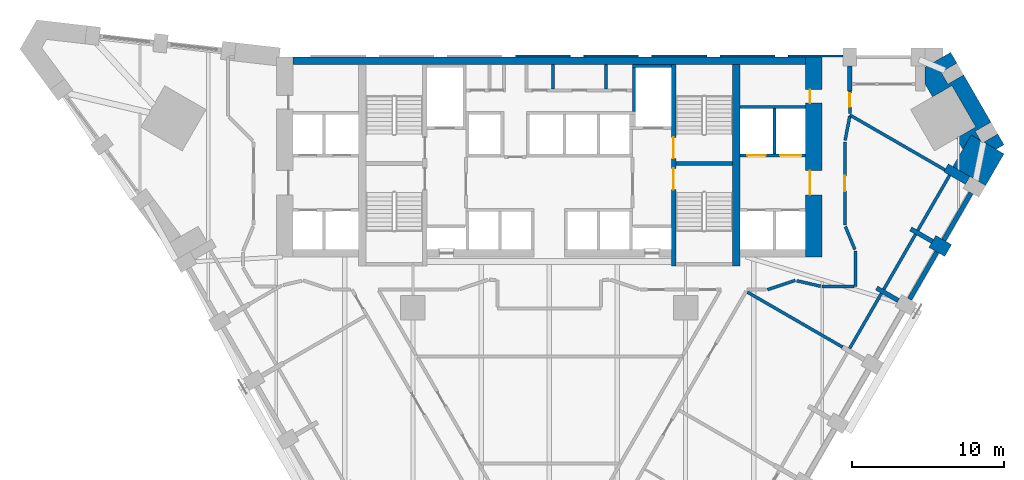
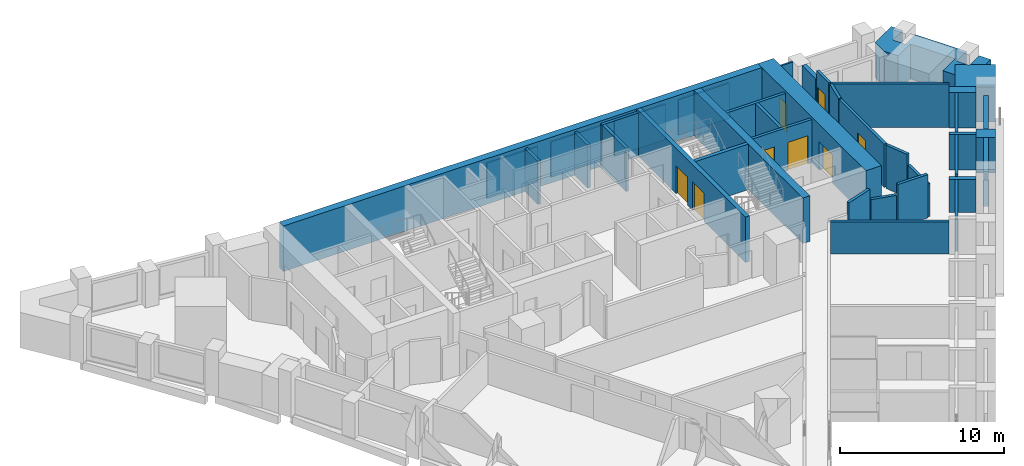
# One storey, part 8 of 10: 40 walls, 8 doors, 8 openings.
"""IFC4 building model written with IfcOpenShell, lengths in metres."""

from ifc_helpers import new_model, si_unit, direction, frame, frame_2d, origin, place, context, subcontext, project, spatial, polyline, rectangle, outline, extrude, material, layer, layer_set, type_object, element, fill, save


model = new_model("IFC4")

# Units and contexts
model_context = context("Model", 3, precision=1e-05, world=origin(), true_north=direction((0.0, 1.0)))
body_context = subcontext(model_context, "Body", "Model", "MODEL_VIEW")
ifc_project = project(units=[si_unit("LENGTHUNIT", "METRE"), si_unit("AREAUNIT", "SQUARE_METRE"), si_unit("VOLUMEUNIT", "CUBIC_METRE"), si_unit("PLANEANGLEUNIT", "RADIAN"), si_unit("MASSUNIT", "GRAM", prefix="KILO")], contexts=[model_context])

# Site, building, storey
site_placement = place(None, origin())
site = spatial("IfcSite", under=ifc_project, at=site_placement, CompositionType="ELEMENT")
building_placement = place(site_placement, origin())
building = spatial("IfcBuilding", under=site, at=building_placement, Name="Calabash Gate Tower", CompositionType="ELEMENT")
storey_placement = place(building_placement, frame((0.0, 0.0, 66.39990234375)))
storey = spatial("IfcBuildingStorey", under=building, at=storey_placement, Name="L12", CompositionType="ELEMENT", Elevation=66.39990234375)

# Walls
ifc_material_1 = material(Name="Terracotta brick masonry, exposed face", Category="masonry")
ifc_layer_1 = layer(ifc_material_1, 2.5)
ifc_layer_set_1 = layer_set([ifc_layer_1], Name="Brick corner mass wall 2500")
wall_type_1 = type_object("IfcWallType", Name="Brick corner mass wall 2500", PredefinedType="SOLIDWALL", material=ifc_layer_set_1)
wall_1_placement = place(storey_placement, origin())
element("IfcWall", 1, at=wall_1_placement, inside=storey, type_object=wall_type_1, Name="Brick corner pier S03 3a", PredefinedType="SOLIDWALL", context=body_context, shape_type="SweptSolid", body=[
    extrude(outline(polyline([(30.000732421875, 12.657958984375), (28.662353515625, 13.4306640625), (28.552490234375, 13.3671875), (28.442626953125, 13.5576171875), (27.835693359375, 13.907958984375), (26.6279296875, 11.815673828125), (28.79296875, 10.565673828125), (30.000732421875, 12.657958984375)])), origin(), (0.0, 0.0, 1.0), 2.630126953125),
])
wall_2_placement = place(storey_placement, origin())
element("IfcWall", 2, at=wall_2_placement, inside=storey, type_object=wall_type_1, Name="Brick corner pier S03 3ba", PredefinedType="SOLIDWALL", context=body_context, shape_type="SweptSolid", body=[
    extrude(outline(polyline([(29.481201171875, 12.957763671875), (30.000732421875, 13.2578125), (29.59130859375, 13.967041015625), (28.662353515625, 13.4306640625), (29.481201171875, 12.957763671875)])), origin(), (0.0, 0.0, 1.0), 2.630126953125),
])
wall_3_placement = place(storey_placement, origin())
element("IfcWall", 3, at=wall_3_placement, inside=storey, type_object=wall_type_1, Name="Brick corner pier S03 3bb", PredefinedType="SOLIDWALL", context=body_context, shape_type="SweptSolid", body=[
    extrude(outline(polyline([(25.852294921875, 18.043701171875), (26.891357421875, 18.6435546875), (26.482177734375, 19.3525390625), (24.77783203125, 18.36865234375), (24.77783203125, 17.30419921875), (25.2890625, 16.419189453125), (26.564453125, 17.155517578125), (28.139404296875, 14.427490234375), (26.864013671875, 13.691162109375), (27.287353515625, 12.957763671875), (27.835693359375, 13.907958984375), (28.442626953125, 13.5576171875), (28.102294921875, 14.146728515625), (29.141357421875, 14.74658203125), (27.34130859375, 17.8642578125), (26.302490234375, 17.264404296875), (25.852294921875, 18.043701171875)])), origin(), (0.0, 0.0, 1.0), 2.630126953125),
])
ifc_material_2 = material(Name="Terracotta brick masonry, exposed face", Category="masonry")
ifc_layer_2 = layer(ifc_material_2, 1.199951171875)
ifc_layer_set_2 = layer_set([ifc_layer_2], Name="Brick end wall 1200")
wall_type_2 = type_object("IfcWallType", Name="Brick end wall 1200", PredefinedType="SOLIDWALL", material=ifc_layer_set_2)
wall_4_placement = place(storey_placement, frame((25.27880859375, 6.87890625, 0.0), z_axis=(0.0, 0.0, 1.0), x_axis=(0.865955154139, -0.50012165622, 0.0)))
element("IfcWall", 4, at=wall_4_placement, inside=storey, type_object=wall_type_2, Name="Brick pier S03 SE2.9", PredefinedType="SOLIDWALL", context=body_context, shape_type="SweptSolid", body=[
    extrude(rectangle(XDim=1.199951171875, YDim=0.89990234375, at=frame_2d((0.60009765625, 0.0))), origin(), (0.0, 0.0, 1.0), 2.630126953125),
])
ifc_material_3 = material(Name="Terracotta brick masonry, exposed face", Category="masonry")
ifc_layer_3 = layer(ifc_material_3, 0.300048828125)
ifc_layer_set_3 = layer_set([ifc_layer_3], Name="Brick infill panel wall 300")
wall_type_3 = type_object("IfcWallType", Name="Brick infill panel wall 300", PredefinedType="SOLIDWALL", material=ifc_layer_set_3)
for number, where, z_axis, x_axis, name in (
    (5, (23.7734375, 3.071533203125, 0.0), (0.0, 0.0, 1.0), (0.499961193289, 0.866047807691, 0.0), "Brick panel S03 SE2.9"),
    (6, (26.0234375, 6.968505859375, 0.0), (0.0, 0.0, 1.0), (0.499961193289, 0.866047807691, 0.0), "Brick panel S03 SE2.10"),
):
    element("IfcWall", number, at=place(storey_placement, frame(where, z_axis=z_axis, x_axis=x_axis)), inside=storey, type_object=wall_type_3, Name=name, PredefinedType="SOLIDWALL", context=body_context, shape_type="SweptSolid", body=[
        extrude(rectangle(XDim=3.599853515625, YDim=0.300048828125, at=frame_2d((1.7998046875, 0.0))), origin(), (0.0, 0.0, 1.0), 2.630126953125),
    ])
ifc_material_4 = material(Name="Terracotta brick masonry, exposed face", Category="masonry")
ifc_layer_4 = layer(ifc_material_4, 0.300048828125)
ifc_layer_set_4 = layer_set([ifc_layer_4], Name="Brick loggia cheek wall 300")
wall_type_4 = type_object("IfcWallType", Name="Brick loggia cheek wall 300", PredefinedType="SOLIDWALL", material=ifc_layer_set_4)
wall_5_placement = place(storey_placement, frame((21.599853515625, 3.806884765625, 0.0), z_axis=(0.0, 0.0, 1.0), x_axis=(0.865966208357, -0.500102515474, 0.0)))
element("IfcWall", 7, at=wall_5_placement, inside=storey, type_object=wall_type_4, Name="Loggia cheek S03 SE2.8", PredefinedType="SOLIDWALL", context=body_context, shape_type="SweptSolid", body=[
    extrude(rectangle(XDim=1.649658203125, YDim=0.300048828125, at=frame_2d((0.82470703125, 0.0))), origin(), (0.0, 0.0, 1.0), 2.4501953125),
])
wall_6_placement = place(storey_placement, frame((23.849853515625, 7.703857421875, 0.0), z_axis=(0.0, 0.0, 1.0), x_axis=(0.866040211805, -0.499974350878, 0.0)))
element("IfcWall", 8, at=wall_6_placement, inside=storey, type_object=wall_type_4, Name="Loggia cheek S03 SE2.9", PredefinedType="SOLIDWALL", context=body_context, shape_type="SweptSolid", body=[
    extrude(rectangle(XDim=1.64990234375, YDim=0.300048828125, at=frame_2d((0.824951171875, 0.0))), origin(), (0.0, 0.0, 1.0), 2.650146484375),
])
wall_7_placement = place(storey_placement, frame((27.603759765625, 10.906005859375, 0.0), z_axis=(0.0, 0.0, 1.0), x_axis=(-0.866040211805, 0.499974350878, 0.0)))
element("IfcWall", 9, at=wall_7_placement, inside=storey, type_object=wall_type_4, Name="Loggia cheek S03 SE2.10", PredefinedType="SOLIDWALL", context=body_context, shape_type="SweptSolid", body=[
    extrude(rectangle(XDim=1.64990234375, YDim=0.60009765625, at=frame_2d((0.824951171875, 0.0))), origin(), (0.0, 0.0, 1.0), 2.650146484375),
])
wall_8_placement = place(storey_placement, origin())
element("IfcWall", 10, at=wall_8_placement, inside=storey, type_object=wall_type_4, Name="Loggia cheek S03 N4.1", PredefinedType="SOLIDWALL", context=body_context, shape_type="SweptSolid", body=[
    extrude(outline(polyline([(19.677978515625, 18.45263671875), (19.677978515625, 16.802490234375), (19.977783203125, 16.802490234375), (19.977783203125, 18.45263671875), (19.677978515625, 18.45263671875)])), origin(), (0.0, 0.0, 1.0), 2.650146484375),
])
ifc_material_5 = material(Name="Gypsum board on steel studs, mineral wool", Category="steel")
ifc_layer_5 = layer(ifc_material_5, 0.199951171875)
ifc_layer_set_5 = layer_set([ifc_layer_5], Name="Core partition 200 gypsum board")
wall_type_5 = type_object("IfcWallType", Name="Core partition 200 gypsum board", PredefinedType="PARTITIONING", material=ifc_layer_set_5)
for number, where, z_axis, x_axis, name in (
    (11, (0.25, 16.95263671875, 0.0), (0.0, 0.0, 1.0), (0.0, 1.0, 0.0), "Core partition"),
    (12, (3.75, 16.95263671875, 0.0), (0.0, 0.0, 1.0), (0.0, 1.0, 0.0), "Core partition"),
):
    element("IfcWall", number, at=place(storey_placement, frame(where, z_axis=z_axis, x_axis=x_axis)), inside=storey, type_object=wall_type_5, Name=name, PredefinedType="PARTITIONING", context=body_context, shape_type="SweptSolid", body=[
        extrude(rectangle(XDim=1.599853515625, YDim=0.199951171875, at=frame_2d((0.7998046875, 0.0))), origin(), (0.0, 0.0, 1.0), 3.22998046875),
    ])

# Wall, openings, doors
ifc_material_6 = material(Name="Concrete C80/95", Category="concrete")
ifc_layer_6 = layer(ifc_material_6, 1.10009765625)
ifc_layer_set_6 = layer_set([ifc_layer_6], Name="Core wall 1100 Concrete C80/95")
wall_type_6 = type_object("IfcWallType", Name="Core wall 1100 Concrete C80/95", PredefinedType="SHEAR", material=ifc_layer_set_6)
wall_9_placement = place(storey_placement, frame((17.449951171875, 5.8525390625, 0.0), z_axis=(0.0, 0.0, 1.0), x_axis=(0.0, 1.0, 0.0)))
wall_9 = element("IfcWall", 13, at=wall_9_placement, inside=storey, type_object=wall_type_6, Name="Core wall Z1-ENDE L12", PredefinedType="SHEAR", context=body_context, shape_type="SweptSolid", body=[
    extrude(rectangle(XDim=13.199951171875, YDim=1.10009765625, at=frame_2d((6.60009765625, 0.0))), origin(), (0.0, 0.0, 1.0), 3.400146484375),
])
opening_1_placement = place(wall_9_placement, frame((4.10009765625, 0.0, 0.0)))
opening_1 = element("IfcOpeningElement", 14, at=opening_1_placement, cuts=wall_9, Name="Opening H3-002", PredefinedType="OPENING", context=body_context, shape_type="SweptSolid", body=[
    extrude(rectangle(XDim=1.60009765625, YDim=2.10009765625, at=frame_2d((0.800048828125, 1.050048828125))), frame((0.0, 0.56005859375, 0.0), z_axis=(0.0, -1.0, 0.0), x_axis=(1.0, 0.0, 0.0)), (0.0, 0.0, 1.0), 1.1201171875),
])
opening_2_placement = place(wall_9_placement, frame((10.14990234375, 0.0, 0.0)))
opening_2 = element("IfcOpeningElement", 15, at=opening_2_placement, cuts=wall_9, Name="Opening H3-001", PredefinedType="OPENING", context=body_context, shape_type="SweptSolid", body=[
    extrude(rectangle(XDim=0.89990234375, YDim=2.10009765625, at=frame_2d((0.449951171875, 1.050048828125))), frame((0.0, 0.56005859375, 0.0), z_axis=(0.0, -1.0, 0.0), x_axis=(1.0, 0.0, 0.0)), (0.0, 0.0, 1.0), 1.1201171875),
])
ifc_material_7 = material(Name="Steel fire door set with fire-resisting glazing", Category="steel")
door_type_1 = type_object("IfcDoorType", Name="Double fire door D08 1600x2100 FD60", OperationType="DOUBLE_DOOR_SINGLE_SWING", PredefinedType="DOOR", material=ifc_material_7)
door_1_placement = place(opening_1_placement, origin())
door_1 = element("IfcDoor", 16, at=door_1_placement, inside=storey, type_object=door_type_1, Name="Low-rise Lift Lobby E door", OperationType="DOUBLE_DOOR_SINGLE_SWING", OverallHeight=2.10009765625, OverallWidth=1.60009765625, PredefinedType="DOOR", context=body_context, shape_type="SweptSolid", body=[
    extrude(rectangle(XDim=1.60009765625, YDim=2.10009765625, at=frame_2d((0.800048828125, 1.050048828125))), frame((0.0, 0.27490234375, 0.0), z_axis=(0.0, -1.0, 0.0), x_axis=(1.0, 0.0, 0.0)), (0.0, 0.0, 1.0), 0.050048828125),
])
fill(opening_1, door_1)
ifc_material_8 = material(Name="Steel fire door set with fire-resisting glazing", Category="steel")
door_type_2 = type_object("IfcDoorType", Name="Fire door D06 900x2100 FD60", OperationType="NOTDEFINED", PredefinedType="DOOR", material=ifc_material_8)
door_2_placement = place(opening_2_placement, origin())
door_2 = element("IfcDoor", 17, at=door_2_placement, inside=storey, type_object=door_type_2, Name="Hotel Pantry door", OperationType="SINGLE_SWING_LEFT", OverallHeight=2.10009765625, OverallWidth=0.89990234375, PredefinedType="DOOR", context=body_context, shape_type="SweptSolid", body=[
    extrude(rectangle(XDim=0.89990234375, YDim=2.10009765625, at=frame_2d((0.449951171875, 1.050048828125))), frame((0.0, 0.27490234375, 0.0), z_axis=(0.0, -1.0, 0.0), x_axis=(1.0, 0.0, 0.0)), (0.0, 0.0, 1.0), 0.050048828125),
])
fill(opening_2, door_2)

# Wall
ifc_material_9 = material(Name="Concrete C80/95", Category="concrete")
ifc_layer_7 = layer(ifc_material_9, 0.25)
ifc_layer_set_7 = layer_set([ifc_layer_7], Name="Core wall 250 Concrete C80/95")
wall_type_7 = type_object("IfcWallType", Name="Core wall 250 Concrete C80/95", PredefinedType="SHEAR", material=ifc_layer_set_7)
wall_10_placement = place(storey_placement, frame((8.35009765625, 12.027587890625, 0.0), z_axis=(0.0, 0.0, 1.0), x_axis=(1.0, 0.0, 0.0)))
element("IfcWall", 18, at=wall_10_placement, inside=storey, type_object=wall_type_7, Name="Core wall Z1-MIDE L12", PredefinedType="SHEAR", context=body_context, shape_type="SweptSolid", body=[
    extrude(rectangle(XDim=3.75, YDim=0.25, at=frame_2d((1.875, 0.0))), origin(), (0.0, 0.0, 1.0), 3.400146484375),
])

# Wall, openings, doors
ifc_material_10 = material(Name="Concrete C80/95", Category="concrete")
ifc_layer_8 = layer(ifc_material_10, 0.300048828125)
ifc_layer_set_8 = layer_set([ifc_layer_8], Name="Core wall 300 Concrete C80/95")
wall_type_8 = type_object("IfcWallType", Name="Core wall 300 Concrete C80/95", PredefinedType="SHEAR", material=ifc_layer_set_8)
wall_11_placement = place(storey_placement, frame((8.199951171875, 5.252685546875, 0.0), z_axis=(0.0, 0.0, 1.0), x_axis=(0.0, 1.0, 0.0)))
wall_11 = element("IfcWall", 19, at=wall_11_placement, inside=storey, type_object=wall_type_8, Name="Core wall Z1-PARTE L12", PredefinedType="SHEAR", context=body_context, shape_type="SweptSolid", body=[
    extrude(rectangle(XDim=13.2998046875, YDim=0.300048828125, at=frame_2d((6.64990234375, 0.0))), origin(), (0.0, 0.0, 1.0), 3.400146484375),
])
opening_3_placement = place(wall_11_placement, frame((7.10009765625, 0.0, 0.0)))
opening_3 = element("IfcOpeningElement", 20, at=opening_3_placement, cuts=wall_11, Name="Opening H3-017", PredefinedType="OPENING", context=body_context, shape_type="SweptSolid", body=[
    extrude(rectangle(XDim=1.39990234375, YDim=2.10009765625, at=frame_2d((0.699951171875, 1.050048828125))), frame((0.0, 0.159912109375, 0.0), z_axis=(0.0, -1.0, 0.0), x_axis=(1.0, 0.0, 0.0)), (0.0, 0.0, 1.0), 0.320068359375),
])
opening_4_placement = place(wall_11_placement, frame((5.050048828125, 0.0, 0.0)))
opening_4 = element("IfcOpeningElement", 21, at=opening_4_placement, cuts=wall_11, Name="Opening H3-018", PredefinedType="OPENING", context=body_context, shape_type="SweptSolid", body=[
    extrude(rectangle(XDim=1.39990234375, YDim=2.10009765625, at=frame_2d((0.699951171875, 1.050048828125))), frame((0.0, 0.159912109375, 0.0), z_axis=(0.0, -1.0, 0.0), x_axis=(1.0, 0.0, 0.0)), (0.0, 0.0, 1.0), 0.320068359375),
])
ifc_material_11 = material(Name="Steel fire door set with fire-resisting glazing", Category="steel")
door_type_3 = type_object("IfcDoorType", Name="Fire door D05 1400x2100 FD90", OperationType="NOTDEFINED", PredefinedType="DOOR", material=ifc_material_11)
door_3_placement = place(opening_3_placement, origin())
door_3 = element("IfcDoor", 22, at=door_3_placement, inside=storey, type_object=door_type_3, Name="Exit stair door ST3", OperationType="SINGLE_SWING_RIGHT", OverallHeight=2.10009765625, OverallWidth=1.39990234375, PredefinedType="DOOR", context=body_context, shape_type="SweptSolid", body=[
    extrude(rectangle(XDim=1.39990234375, YDim=2.10009765625, at=frame_2d((0.699951171875, 1.050048828125))), frame((0.0, 0.02490234375, 0.0), z_axis=(0.0, -1.0, 0.0), x_axis=(1.0, 0.0, 0.0)), (0.0, 0.0, 1.0), 0.050048828125),
])
fill(opening_3, door_3)
door_4_placement = place(opening_4_placement, origin())
door_4 = element("IfcDoor", 23, at=door_4_placement, inside=storey, type_object=door_type_3, Name="Exit stair door ST4", OperationType="SINGLE_SWING_LEFT", OverallHeight=2.10009765625, OverallWidth=1.39990234375, PredefinedType="DOOR", context=body_context, shape_type="SweptSolid", body=[
    extrude(rectangle(XDim=1.39990234375, YDim=2.10009765625, at=frame_2d((0.699951171875, 1.050048828125))), frame((0.0, 0.02490234375, 0.0), z_axis=(0.0, -1.0, 0.0), x_axis=(1.0, 0.0, 0.0)), (0.0, 0.0, 1.0), 0.050048828125),
])
fill(opening_4, door_4)

# Walls
ifc_material_12 = material(Name="Concrete C80/95", Category="concrete")
ifc_layer_9 = layer(ifc_material_12, 0.5)
ifc_layer_set_9 = layer_set([ifc_layer_9], Name="Core wall 500 Concrete C80/95")
wall_type_9 = type_object("IfcWallType", Name="Core wall 500 Concrete C80/95", PredefinedType="SHEAR", material=ifc_layer_set_9)
wall_12_placement = place(storey_placement, frame((-16.89990234375, 18.802490234375, 0.0), z_axis=(0.0, 0.0, 1.0), x_axis=(1.0, 0.0, 0.0)))
element("IfcWall", 24, at=wall_12_placement, inside=storey, type_object=wall_type_9, Name="Core wall Z1-N L12", PredefinedType="SHEAR", context=body_context, shape_type="SweptSolid", body=[
    extrude(rectangle(XDim=33.7998046875, YDim=0.5, at=frame_2d((16.89990234375, 0.0))), origin(), (0.0, 0.0, 1.0), 3.400146484375),
])
wall_13_placement = place(storey_placement, frame((12.35009765625, 5.252685546875, 0.0), z_axis=(0.0, 0.0, 1.0), x_axis=(0.0, 1.0, 0.0)))
element("IfcWall", 25, at=wall_13_placement, inside=storey, type_object=wall_type_9, Name="Core wall Z1-COLE L12", PredefinedType="SHEAR", context=body_context, shape_type="SweptSolid", body=[
    extrude(rectangle(XDim=13.2998046875, YDim=0.5, at=frame_2d((6.64990234375, 0.0))), origin(), (0.0, 0.0, 1.0), 3.400146484375),
])
ifc_material_13 = material(Name="Gypsum board on steel studs, mineral wool", Category="steel")
ifc_layer_10 = layer(ifc_material_13, 0.199951171875)
ifc_layer_set_10 = layer_set([ifc_layer_10], Name="Partition 200 gypsum board EI 60")
wall_type_10 = type_object("IfcWallType", Name="Partition 200 gypsum board EI 60", PredefinedType="PARTITIONING", material=ifc_layer_set_10)
wall_14_placement = place(storey_placement, frame((13.072509765625, 3.5361328125, 0.0), z_axis=(0.0, 0.0, 1.0), x_axis=(0.865929252606, -0.500166501758, 0.0)))
element("IfcWall", 26, at=wall_14_placement, inside=storey, type_object=wall_type_10, Name="Partition", PredefinedType="PARTITIONING", context=body_context, shape_type="SweptSolid", body=[
    extrude(rectangle(XDim=7.24951171875, YDim=0.199951171875, at=frame_2d((3.624755859375, 0.0))), origin(), (0.0, 0.0, 1.0), 2.38427734375),
])
wall_15_placement = place(storey_placement, frame((18.0, 3.8994140625, 0.0), z_axis=(0.0, 0.0, 1.0), x_axis=(0.999999972977, 0.000232477037, 0.0)))
element("IfcWall", 27, at=wall_15_placement, inside=storey, type_object=wall_type_10, Name="Partition", PredefinedType="PARTITIONING", context=body_context, shape_type="SweptSolid", body=[
    extrude(rectangle(XDim=2.100341796875, YDim=0.199951171875, at=frame_2d((1.05029296875, 0.0))), origin(), (0.0, 0.0, 1.0), 3.22998046875),
])
wall_16_placement = place(storey_placement, frame((16.325927734375, 4.28662109375, 0.0), z_axis=(0.0, 0.0, 1.0), x_axis=(0.974302124523, -0.225245133464, 0.0)))
element("IfcWall", 28, at=wall_16_placement, inside=storey, type_object=wall_type_10, Name="Partition", PredefinedType="PARTITIONING", context=body_context, shape_type="SweptSolid", body=[
    extrude(rectangle(XDim=1.6181640625, YDim=0.199951171875, at=frame_2d((0.80908203125, 0.0))), origin(), (0.0, 0.0, 1.0), 2.4501953125),
])
wall_17_placement = place(storey_placement, frame((14.400146484375, 3.699462890625, 0.0), z_axis=(0.0, 0.0, 1.0), x_axis=(0.948657960303, 0.316303769112, 0.0)))
element("IfcWall", 29, at=wall_17_placement, inside=storey, type_object=wall_type_10, Name="Partition", PredefinedType="PARTITIONING", context=body_context, shape_type="SweptSolid", body=[
    extrude(rectangle(XDim=1.92724609375, YDim=0.199951171875, at=frame_2d((0.963623046875, 0.0))), origin(), (0.0, 0.0, 1.0), 3.22998046875),
])
wall_18_placement = place(storey_placement, frame((20.200439453125, 3.89990234375, 0.0), z_axis=(0.0, 0.0, 1.0), x_axis=(0.0, 1.0, 0.0)))
element("IfcWall", 30, at=wall_18_placement, inside=storey, type_object=wall_type_10, Name="Partition", PredefinedType="PARTITIONING", context=body_context, shape_type="SweptSolid", body=[
    extrude(rectangle(XDim=2.352783203125, YDim=0.199951171875, at=frame_2d((1.17626953125, 0.0))), origin(), (0.0, 0.0, 1.0), 2.4501953125),
])
wall_19_placement = place(storey_placement, frame((19.53857421875, 7.860107421875, 0.0), z_axis=(0.0, 0.0, 1.0), x_axis=(0.380749805254, -0.924678098475, 0.0)))
element("IfcWall", 31, at=wall_19_placement, inside=storey, type_object=wall_type_10, Name="Partition", PredefinedType="PARTITIONING", context=body_context, shape_type="SweptSolid", body=[
    extrude(rectangle(XDim=1.63818359375, YDim=0.199951171875, at=frame_2d((0.819091796875, 0.0))), origin(), (0.0, 0.0, 1.0), 3.22998046875),
])

# Wall, opening, door
wall_20_placement = place(storey_placement, frame((19.50048828125, 7.95263671875, 0.0), z_axis=(0.0, 0.0, 1.0), x_axis=(0.0, 1.0, 0.0)))
wall_20 = element("IfcWall", 32, at=wall_20_placement, inside=storey, type_object=wall_type_10, Name="Partition", PredefinedType="PARTITIONING", context=body_context, shape_type="SweptSolid", body=[
    extrude(rectangle(XDim=5.499755859375, YDim=0.199951171875, at=frame_2d((2.75, 0.0))), origin(), (0.0, 0.0, 1.0), 3.22998046875),
])
opening_5_placement = place(wall_20_placement, frame((2.25, 0.0, 0.0)))
opening_5 = element("IfcOpeningElement", 33, at=opening_5_placement, cuts=wall_20, Name="Opening 12-14-022", PredefinedType="OPENING", context=body_context, shape_type="SweptSolid", body=[
    extrude(rectangle(XDim=1.0, YDim=2.10009765625, at=frame_2d((0.5, 1.050048828125))), frame((0.0, 0.10986328125, 0.0), z_axis=(0.0, -1.0, 0.0), x_axis=(1.0, 0.0, 0.0)), (0.0, 0.0, 1.0), 0.219970703125),
])
ifc_material_14 = material(Name="Steel fire door set with fire-resisting glazing", Category="steel")
door_type_4 = type_object("IfcDoorType", Name="LD2 Meeting room door 1000x2100", OperationType="NOTDEFINED", PredefinedType="DOOR", material=ifc_material_14)
door_5_placement = place(opening_5_placement, origin())
door_5 = element("IfcDoor", 34, at=door_5_placement, inside=storey, type_object=door_type_4, Name="Meeting room door", OperationType="SINGLE_SWING_RIGHT", OverallHeight=2.10009765625, OverallWidth=1.0, PredefinedType="DOOR", context=body_context, shape_type="SweptSolid", body=[
    extrude(rectangle(XDim=1.0, YDim=2.10009765625, at=frame_2d((0.5, 1.050048828125))), frame((0.0, 0.02490234375, 0.0), z_axis=(0.0, -1.0, 0.0), x_axis=(1.0, 0.0, 0.0)), (0.0, 0.0, 1.0), 0.050048828125),
])
fill(opening_5, door_5)

# Walls
wall_21_placement = place(storey_placement, frame((19.519287109375, 13.55078125, 0.0), z_axis=(0.0, 0.0, 1.0), x_axis=(0.18946348331, 0.981887767768, 0.0)))
element("IfcWall", 35, at=wall_21_placement, inside=storey, type_object=wall_type_10, Name="Partition", PredefinedType="PARTITIONING", context=body_context, shape_type="SweptSolid", body=[
    extrude(rectangle(XDim=1.63134765625, YDim=0.199951171875, at=frame_2d((0.815673828125, 0.0))), origin(), (0.0, 0.0, 1.0), 3.22998046875),
])
wall_22_placement = place(storey_placement, frame((19.82861328125, 15.223876953125, 0.0), z_axis=(0.0, 0.0, 1.0), x_axis=(0.865914392541, -0.50019222784, 0.0)))
element("IfcWall", 36, at=wall_22_placement, inside=storey, type_object=wall_type_10, Name="Partition", PredefinedType="PARTITIONING", context=body_context, shape_type="SweptSolid", body=[
    extrude(rectangle(XDim=7.242431640625, YDim=0.199951171875, at=frame_2d((3.62109375, 0.0))), origin(), (0.0, 0.0, 1.0), 3.22998046875),
])

# Wall, opening, door
wall_23_placement = place(storey_placement, frame((19.828369140625, 16.802490234375, 0.0), z_axis=(0.0, 0.0, 1.0), x_axis=(0.000988793188, -0.999999511144, 0.0)))
wall_23 = element("IfcWall", 37, at=wall_23_placement, inside=storey, type_object=wall_type_10, Name="Partition", PredefinedType="PARTITIONING", context=body_context, shape_type="SweptSolid", body=[
    extrude(rectangle(XDim=1.4814453125, YDim=0.199951171875, at=frame_2d((0.74072265625, 0.0))), origin(), (0.0, 0.0, 1.0), 3.22998046875),
])
opening_6_placement = place(wall_23_placement, frame((0.140380859375, 0.0, 0.0)))
opening_6 = element("IfcOpeningElement", 38, at=opening_6_placement, cuts=wall_23, Name="Opening 12-14-023", PredefinedType="OPENING", context=body_context, shape_type="SweptSolid", body=[
    extrude(rectangle(XDim=0.89990234375, YDim=2.10009765625, at=frame_2d((0.449951171875, 1.050048828125))), frame((0.0, 0.10986328125, 0.0), z_axis=(0.0, -1.0, 0.0), x_axis=(1.0, 0.0, 0.0)), (0.0, 0.0, 1.0), 0.219970703125),
])
ifc_material_15 = material(Name="Steel fire door set with fire-resisting glazing", Category="steel")
door_type_5 = type_object("IfcDoorType", Name="SD3 Store door 900x2100", OperationType="NOTDEFINED", PredefinedType="DOOR", material=ifc_material_15)
door_6_placement = place(opening_6_placement, origin())
door_6 = element("IfcDoor", 39, at=door_6_placement, inside=storey, type_object=door_type_5, Name="Store door", OperationType="SINGLE_SWING_LEFT", OverallHeight=2.10009765625, OverallWidth=0.89990234375, PredefinedType="DOOR", context=body_context, shape_type="SweptSolid", body=[
    extrude(rectangle(XDim=0.89990234375, YDim=2.10009765625, at=frame_2d((0.449951171875, 1.050048828125))), frame((0.0, 0.02490234375, 0.0), z_axis=(0.0, -1.0, 0.0), x_axis=(1.0, 0.0, 0.0)), (0.0, 0.0, 1.0), 0.050048828125),
])
fill(opening_6, door_6)

# Wall, openings, doors
ifc_material_16 = material(Name="Concrete C40/50", Category="concrete")
ifc_layer_11 = layer(ifc_material_16, 0.199951171875)
ifc_layer_set_11 = layer_set([ifc_layer_11], Name="Shaft wall 200 Concrete C40/50")
wall_type_11 = type_object("IfcWallType", Name="Shaft wall 200 Concrete C40/50", PredefinedType="SOLIDWALL", material=ifc_layer_set_11)
wall_24_placement = place(storey_placement, frame((12.60009765625, 12.552490234375, 0.0), z_axis=(0.0, 0.0, 1.0), x_axis=(1.0, 0.0, 0.0)))
wall_24 = element("IfcWall", 40, at=wall_24_placement, inside=storey, type_object=wall_type_11, Name="Shaft wall", PredefinedType="SOLIDWALL", context=body_context, shape_type="SweptSolid", body=[
    extrude(rectangle(XDim=4.2998046875, YDim=0.199951171875, at=frame_2d((2.14990234375, 0.0))), origin(), (0.0, 0.0, 1.0), 3.22998046875),
])
opening_7_placement = place(wall_24_placement, frame((0.47509765625, 0.0, 0.0)))
opening_7 = element("IfcOpeningElement", 41, at=opening_7_placement, cuts=wall_24, Name="Opening LD-SL1", PredefinedType="OPENING", context=body_context, shape_type="SweptSolid", body=[
    extrude(rectangle(XDim=1.199951171875, YDim=2.10009765625, at=frame_2d((0.60009765625, 1.050048828125))), frame((0.0, 0.10986328125, 0.0), z_axis=(0.0, -1.0, 0.0), x_axis=(1.0, 0.0, 0.0)), (0.0, 0.0, 1.0), 0.219970703125),
])
opening_8_placement = place(wall_24_placement, frame((2.625, 0.0, 0.0)))
opening_8 = element("IfcOpeningElement", 42, at=opening_8_placement, cuts=wall_24, Name="Opening LD-GL1", PredefinedType="OPENING", context=body_context, shape_type="SweptSolid", body=[
    extrude(rectangle(XDim=1.39990234375, YDim=2.10009765625, at=frame_2d((0.699951171875, 1.050048828125))), frame((0.0, 0.10986328125, 0.0), z_axis=(0.0, -1.0, 0.0), x_axis=(1.0, 0.0, 0.0)), (0.0, 0.0, 1.0), 0.219970703125),
])
ifc_material_17 = material(Name="Stainless steel sliding door leaves", Category="steel")
door_type_6 = type_object("IfcDoorType", Name="Lift landing door LS3 1200x2100 FD90", OperationType="DOUBLE_DOOR_SLIDING", PredefinedType="DOOR", material=ifc_material_17)
door_7_placement = place(opening_7_placement, origin())
door_7 = element("IfcDoor", 43, at=door_7_placement, inside=storey, type_object=door_type_6, Name="Lift landing door SL1", OperationType="DOUBLE_DOOR_SLIDING", OverallHeight=2.10009765625, OverallWidth=1.199951171875, PredefinedType="DOOR", context=body_context, shape_type="SweptSolid", body=[
    extrude(rectangle(XDim=1.199951171875, YDim=2.10009765625, at=frame_2d((0.60009765625, 1.050048828125))), frame((0.0, 0.02490234375, 0.0), z_axis=(0.0, -1.0, 0.0), x_axis=(1.0, 0.0, 0.0)), (0.0, 0.0, 1.0), 0.050048828125),
])
fill(opening_7, door_7)
ifc_material_18 = material(Name="Stainless steel sliding door leaves", Category="steel")
door_type_7 = type_object("IfcDoorType", Name="Lift landing door LS4 1400x2100 FD90", OperationType="DOUBLE_DOOR_SLIDING", PredefinedType="DOOR", material=ifc_material_18)
door_8_placement = place(opening_8_placement, origin())
door_8 = element("IfcDoor", 44, at=door_8_placement, inside=storey, type_object=door_type_7, Name="Lift landing door GL1", OperationType="DOUBLE_DOOR_SLIDING", OverallHeight=2.10009765625, OverallWidth=1.39990234375, PredefinedType="DOOR", context=body_context, shape_type="SweptSolid", body=[
    extrude(rectangle(XDim=1.39990234375, YDim=2.10009765625, at=frame_2d((0.699951171875, 1.050048828125))), frame((0.0, 0.02490234375, 0.0), z_axis=(0.0, -1.0, 0.0), x_axis=(1.0, 0.0, 0.0)), (0.0, 0.0, 1.0), 0.050048828125),
])
fill(opening_8, door_8)

# Walls
wall_25_placement = place(storey_placement, frame((14.85009765625, 12.652587890625, 0.0), z_axis=(0.0, 0.0, 1.0), x_axis=(0.0, 1.0, 0.0)))
element("IfcWall", 45, at=wall_25_placement, inside=storey, type_object=wall_type_11, Name="Shaft wall", PredefinedType="SOLIDWALL", context=body_context, shape_type="SweptSolid", body=[
    extrude(rectangle(XDim=3.0, YDim=0.199951171875, at=frame_2d((1.5, 0.0))), origin(), (0.0, 0.0, 1.0), 3.22998046875),
])
wall_26_placement = place(storey_placement, frame((5.60009765625, 15.45263671875, 0.0), z_axis=(0.0, 0.0, 1.0), x_axis=(0.0, 1.0, 0.0)))
element("IfcWall", 46, at=wall_26_placement, inside=storey, type_object=wall_type_11, Name="Shaft wall", PredefinedType="SOLIDWALL", context=body_context, shape_type="SweptSolid", body=[
    extrude(rectangle(XDim=2.89990234375, YDim=0.199951171875, at=frame_2d((1.449951171875, 0.0))), origin(), (0.0, 0.0, 1.0), 3.22998046875),
])
wall_27_placement = place(storey_placement, frame((12.60009765625, 15.752685546875, 0.0), z_axis=(0.0, 0.0, 1.0), x_axis=(1.0, 0.0, 0.0)))
element("IfcWall", 47, at=wall_27_placement, inside=storey, type_object=wall_type_11, Name="Shaft wall", PredefinedType="SOLIDWALL", context=body_context, shape_type="SweptSolid", body=[
    extrude(rectangle(XDim=4.2998046875, YDim=0.199951171875, at=frame_2d((2.14990234375, 0.0))), origin(), (0.0, 0.0, 1.0), 3.22998046875),
])
wall_28_placement = place(storey_placement, frame((5.5, 18.45263671875, 0.0), z_axis=(0.0, 0.0, 1.0), x_axis=(1.0, 0.0, 0.0)))
element("IfcWall", 48, at=wall_28_placement, inside=storey, type_object=wall_type_11, Name="Shaft wall", PredefinedType="SOLIDWALL", context=body_context, shape_type="SweptSolid", body=[
    extrude(rectangle(XDim=2.550048828125, YDim=0.199951171875, at=frame_2d((1.27490234375, 0.0))), origin(), (0.0, 0.0, 1.0), 3.22998046875),
])
ifc_material_19 = material(Name="Terracotta brick masonry, perforated", Category="masonry")
ifc_layer_12 = layer(ifc_material_19, 0.1201171875)
ifc_layer_set_12 = layer_set([ifc_layer_12], Name="Terracotta jaali cladding A 120")
wall_type_12 = type_object("IfcWallType", Name="Terracotta jaali cladding A 120", PredefinedType="SOLIDWALL", material=ifc_layer_set_12)
wall_29_placement = place(storey_placement, origin())
element("IfcWall", 49, at=wall_29_placement, inside=storey, type_object=wall_type_12, Name="Jaali cladding S03 N4.3", PredefinedType="SOLIDWALL", context=body_context, shape_type="SweptSolid", body=[
    extrude(outline(polyline([(11.27783203125, 19.172607421875), (11.27783203125, 19.052490234375), (14.8779296875, 19.052490234375), (14.8779296875, 19.172607421875), (11.27783203125, 19.172607421875)])), origin(), (0.0, 0.0, 1.0), 2.650146484375),
])
wall_30_placement = place(storey_placement, origin())
element("IfcWall", 50, at=wall_30_placement, inside=storey, type_object=wall_type_12, Name="Jaali cladding S03 N4.5", PredefinedType="SOLIDWALL", context=body_context, shape_type="SweptSolid", body=[
    extrude(outline(polyline([(2.27783203125, 19.172607421875), (2.27783203125, 19.052490234375), (5.8779296875, 19.052490234375), (5.8779296875, 19.172607421875), (2.27783203125, 19.172607421875)])), origin(), (0.0, 0.0, 1.0), 2.650146484375),
])
ifc_material_20 = material(Name="Terracotta louvre blades in an aluminium frame", Category="masonry")
ifc_layer_13 = layer(ifc_material_20, 0.1201171875)
ifc_layer_set_13 = layer_set([ifc_layer_13], Name="Terracotta vent louvre cladding 120")
wall_type_13 = type_object("IfcWallType", Name="Terracotta vent louvre cladding 120", PredefinedType="ELEMENTEDWALL", material=ifc_layer_set_13)
wall_31_placement = place(storey_placement, origin())
element("IfcWall", 51, at=wall_31_placement, inside=storey, type_object=wall_type_13, Name="Vent louvre cladding S03 N4.2", PredefinedType="ELEMENTEDWALL", context=body_context, shape_type="SweptSolid", body=[
    extrude(outline(polyline([(15.77783203125, 19.172607421875), (15.77783203125, 19.052490234375), (19.37744140625, 19.052490234375), (19.37744140625, 19.172607421875), (15.77783203125, 19.172607421875)])), origin(), (0.0, 0.0, 1.0), 2.650146484375),
])
wall_32_placement = place(storey_placement, origin())
element("IfcWall", 52, at=wall_32_placement, inside=storey, type_object=wall_type_13, Name="Vent louvre cladding S03 N4.4", PredefinedType="ELEMENTEDWALL", context=body_context, shape_type="SweptSolid", body=[
    extrude(outline(polyline([(6.77783203125, 19.172607421875), (6.77783203125, 19.052490234375), (10.3779296875, 19.052490234375), (10.3779296875, 19.172607421875), (6.77783203125, 19.172607421875)])), origin(), (0.0, 0.0, 1.0), 2.650146484375),
])
wall_33_placement = place(storey_placement, origin())
element("IfcWall", 53, at=wall_33_placement, inside=storey, type_object=wall_type_13, Name="Vent louvre cladding S03 N4.6", PredefinedType="ELEMENTEDWALL", context=body_context, shape_type="SweptSolid", body=[
    extrude(outline(polyline([(-2.22216796875, 19.172607421875), (-2.22216796875, 19.052490234375), (1.3779296875, 19.052490234375), (1.3779296875, 19.172607421875), (-2.22216796875, 19.172607421875)])), origin(), (0.0, 0.0, 1.0), 2.650146484375),
])
ifc_material_21 = material(Name="Aluminium framed window wall with insulated spandrel", Category="aluminium")
ifc_layer_14 = layer(ifc_material_21, 0.199951171875)
ifc_layer_set_14 = layer_set([ifc_layer_14], Name="Window wall 200")
wall_type_14 = type_object("IfcWallType", Name="Window wall 200", PredefinedType="ELEMENTEDWALL", material=ifc_layer_set_14)
wall_34_placement = place(storey_placement, frame((19.814453125, -0.185546875, 0.0), z_axis=(0.0, 0.0, 1.0), x_axis=(0.500002543286, 0.866023935413, 0.0)))
element("IfcWall", 54, at=wall_34_placement, inside=storey, type_object=wall_type_14, Name="Window wall S03 SE2.8", PredefinedType="ELEMENTEDWALL", context=body_context, shape_type="SweptSolid", body=[
    extrude(rectangle(XDim=4.2001953125, YDim=0.199951171875, at=frame_2d((2.10009765625, 0.0))), origin(), (0.0, 0.0, 1.0), 2.4501953125),
])
for number, where, z_axis, x_axis, name in (
    (55, (22.064453125, 3.711669921875, 0.0), (0.0, 0.0, 1.0), (0.500027713859, 0.866009402589, 0.0), "Window wall S03 SE2.9"),
    (56, (24.314453125, 7.60888671875, 0.0), (0.0, 0.0, 1.0), (0.500027713859, 0.866009402589, 0.0), "Window wall S03 SE2.10"),
):
    element("IfcWall", number, at=place(storey_placement, frame(where, z_axis=z_axis, x_axis=x_axis)), inside=storey, type_object=wall_type_14, Name=name, PredefinedType="ELEMENTEDWALL", context=body_context, shape_type="SweptSolid", body=[
        extrude(rectangle(XDim=4.199951171875, YDim=0.199951171875, at=frame_2d((2.10009765625, 0.0))), origin(), (0.0, 0.0, 1.0), 2.650146484375),
    ])

save(model, "model.ifc")
